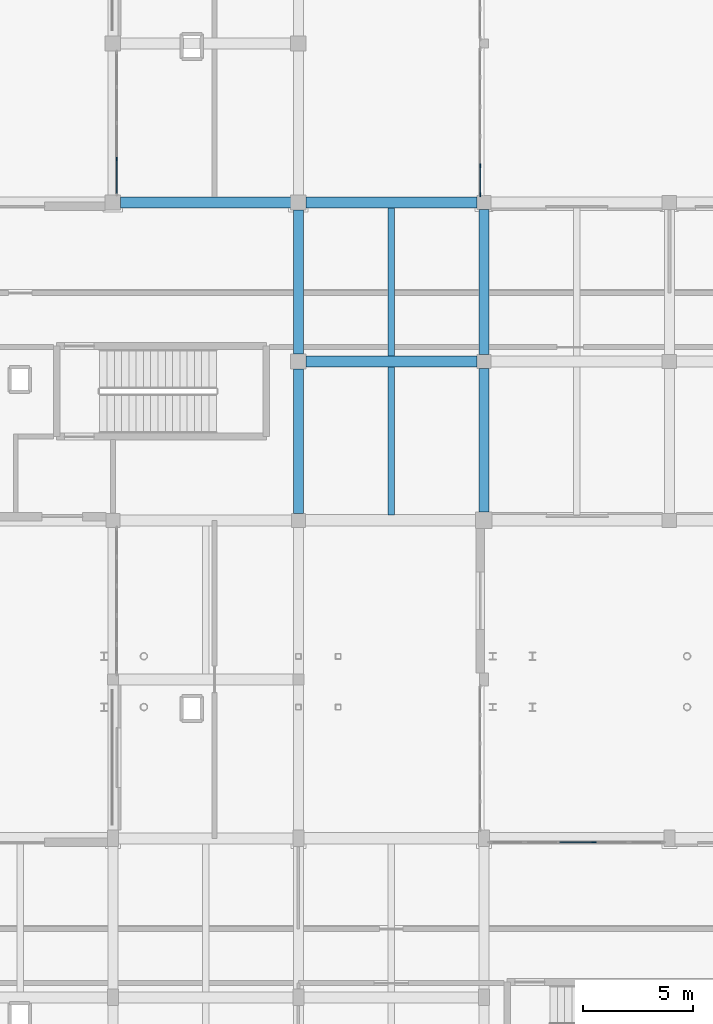
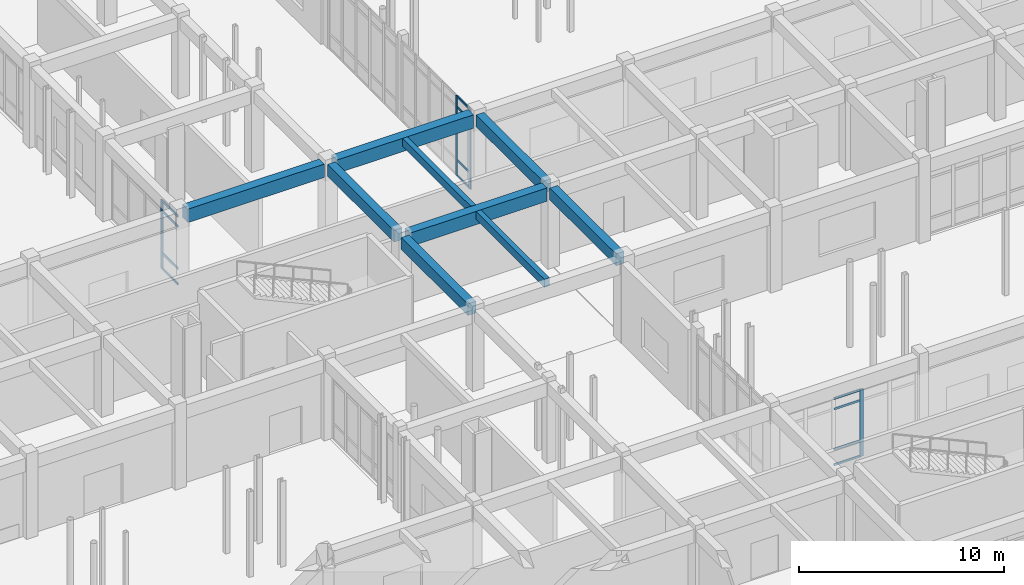
# One storey, part 51 of 121: 16 members, 9 beams, 3 elements without a shape of their own.
"""IFC4 building model written with IfcOpenShell, lengths in metres."""

import ifcopenshell
import ifcopenshell.guid

model = None  # the IFC model being written
_history = None  # IfcOwnerHistory: only IFC2X3 demands one
_inside = {}  # id of a spatial element -> (the spatial element, [elements in it])
_under = {}  # id of a project, library or spatial element -> (it, [spatial elements below it])
_declared = {}  # id of a project -> (the project, [libraries it declares])
_typed = {}  # id of a type object -> (the type object, [elements of that type])
_made_of = {}  # id of a material, layer set ... -> (it, [elements and type objects made of it])


def new_model(schema):
    """Start an empty IFC model of exactly this schema.

    Asked for "IFC4X3", IfcOpenShell would pick the latest addendum, in which some entities
    have other attributes; the version numbers below select the first issue.
    IFC2X3 requires an IfcOwnerHistory on every rooted entity: one is made here for all.
    """
    global model, _history
    if schema == "IFC4X3":
        model = ifcopenshell.file(schema_version=(4, 3, 0, 0))
    else:
        model = ifcopenshell.file(schema=schema)
    _inside.clear()
    _under.clear()
    _declared.clear()
    _typed.clear()
    _made_of.clear()
    _history = None
    if model.schema == "IFC2X3":
        org = make("IfcOrganization", Name="unknown")
        user = make(
            "IfcPersonAndOrganization",
            ThePerson=make("IfcPerson", FamilyName="unknown"),
            TheOrganization=org,
        )
        app = make(
            "IfcApplication",
            ApplicationDeveloper=org,
            Version="unknown",
            ApplicationFullName="unknown",
            ApplicationIdentifier="unknown",
        )
        _history = make(
            "IfcOwnerHistory",
            OwningUser=user,
            OwningApplication=app,
            ChangeAction="ADDED",
            CreationDate=0,
        )
    return model


def make(cls, **values):
    """One entity of the class cls with the attributes given. An attribute that is None is left unset."""
    return model.create_entity(
        cls, **{name: value for name, value in values.items() if value is not None}
    )


def rooted(cls, **values):
    """An entity with a GlobalId (a new one), such as an element, a storey or a relation."""
    return make(cls, GlobalId=ifcopenshell.guid.new(), OwnerHistory=_history, **values)


def si_unit(unit_type, name, prefix=None):
    """IfcSIUnit, for example si_unit("LENGTHUNIT", "METRE", prefix="MILLI")."""
    return make("IfcSIUnit", UnitType=unit_type, Prefix=prefix, Name=name)


def assignment(units):
    """IfcUnitAssignment: the units of a project."""
    return None if units is None else make("IfcUnitAssignment", Units=units)


def point(xyz):
    """IfcCartesianPoint."""
    return None if xyz is None else make("IfcCartesianPoint", Coordinates=xyz)


def direction(xyz):
    """IfcDirection."""
    return None if xyz is None else make("IfcDirection", DirectionRatios=xyz)


def frame(location, z_axis=None, x_axis=None):
    """IfcAxis2Placement3D, a coordinate frame: its origin and axes. An axis left out is left unset."""
    return make(
        "IfcAxis2Placement3D",
        Location=point(location),
        Axis=direction(z_axis),
        RefDirection=direction(x_axis),
    )


def frame_2d(location, x_axis=None):
    """IfcAxis2Placement2D, a coordinate frame in the plane: its origin and x axis."""
    return make(
        "IfcAxis2Placement2D", Location=point(location), RefDirection=direction(x_axis)
    )


def origin():
    """The frame at (0, 0, 0) with its axes left unset."""
    return frame((0.0, 0.0, 0.0))


def origin_2d():
    """The frame at (0, 0) in the plane with its x axis left unset."""
    return frame_2d((0.0, 0.0))


def place(relative_to, where):
    """IfcLocalPlacement: puts the frame where relative to a parent placement (None: the world)."""
    return make(
        "IfcLocalPlacement", PlacementRelTo=relative_to, RelativePlacement=where
    )


def context(
    kind, dimensions, precision=None, world=None, true_north=None, identifier=None
):
    """IfcGeometricRepresentationContext, for example the 3D "Model" context."""
    return make(
        "IfcGeometricRepresentationContext",
        ContextIdentifier=identifier,
        ContextType=kind,
        CoordinateSpaceDimension=dimensions,
        Precision=precision,
        WorldCoordinateSystem=world,
        TrueNorth=true_north,
    )


def subcontext(parent, identifier, kind, view, scale=None):
    """IfcGeometricRepresentationSubContext, for example "Body" below "Model"."""
    return make(
        "IfcGeometricRepresentationSubContext",
        ContextIdentifier=identifier,
        ContextType=kind,
        ParentContext=parent,
        TargetScale=scale,
        TargetView=view,
    )


def project(units=None, contexts=None):
    """IfcProject with its units and contexts."""
    return rooted(
        "IfcProject",
        Name="project",
        RepresentationContexts=contexts,
        UnitsInContext=assignment(units),
    )


def spatial(cls, under=None, at=None, **own):
    """A site, building, storey or space (cls), placed at a placement, below another one or the project."""
    s = rooted(cls, ObjectPlacement=at, **own)
    if under is not None:
        _under.setdefault(under.id(), (under, []))[1].append(s)
    return s


def profile(cls, at=None, kind="AREA", **sizes):
    """A parametric profile (cls). Its sizes go by their IFC names, for example OverallWidth=200.0."""
    return make(cls, ProfileType=kind, Position=at, **sizes)


def rectangle(**sizes):
    """IfcRectangleProfileDef."""
    return profile("IfcRectangleProfileDef", **sizes)


def extrude(swept, where, along, depth):
    """IfcExtrudedAreaSolid: the profile swept, set in the frame where, extruded along a direction by depth."""
    return make(
        "IfcExtrudedAreaSolid",
        SweptArea=swept,
        Position=where,
        ExtrudedDirection=direction(along),
        Depth=depth,
    )


def shape(context_of_items, identifier, shape_type, items):
    """IfcShapeRepresentation: the items that make up one representation, for example the "Body"."""
    return make(
        "IfcShapeRepresentation",
        ContextOfItems=context_of_items,
        RepresentationIdentifier=identifier,
        RepresentationType=shape_type,
        Items=items,
    )


def material(Name=None, Category=None):
    """IfcMaterial."""
    return make("IfcMaterial", Name=Name, Category=Category)


def material_profile(
    of_material, cross_section, Name=None, Category=None, Priority=None
):
    """IfcMaterialProfile: a cross section and its material."""
    return make(
        "IfcMaterialProfile",
        Name=Name,
        Material=of_material,
        Profile=cross_section,
        Priority=Priority,
        Category=Category,
    )


def profile_set(profiles, Name=None, composite=None):
    """IfcMaterialProfileSet."""
    return make(
        "IfcMaterialProfileSet",
        Name=Name,
        MaterialProfiles=profiles,
        CompositeProfile=composite,
    )


def made_of(thing, what):
    """Note that an element or type object is made of a material, layer set ...; save() writes the relation."""
    if what is not None:
        _made_of.setdefault(what.id(), (what, []))[1].append(thing)
    return thing


def type_object(cls, material=None, **own):
    """A type object (cls), such as IfcWallType, which elements share."""
    return made_of(rooted(cls, **own), material)


def element(
    cls,
    number,
    at=None,
    inside=None,
    cuts=None,
    type_object=None,
    material=None,
    context=None,
    identifier="Body",
    shape_type=None,
    held_by="IfcProductDefinitionShape",
    body=None,
    shapes=None,
    **own,
):
    """One element of the class cls, such as IfcWall. Its Tag is "e" and its number.

    at: its placement. inside: the storey or other place that contains it. cuts: it is an
    opening in that element (IfcRelVoidsElement). A single representation is given by context,
    identifier, shape_type and body (its items); several are given by shapes. held_by: the class
    of the entity that holds the representations. save() writes the other relations.
    """
    e = rooted(cls, Tag="e%d" % number, ObjectPlacement=at, **own)
    if body is not None:
        shapes = [shape(context, identifier, shape_type, body)]
    if shapes is not None:
        e.Representation = make(held_by, Representations=shapes)
    if inside is not None:
        _inside.setdefault(inside.id(), (inside, []))[1].append(e)
    if cuts is not None:
        rooted(
            "IfcRelVoidsElement", RelatingBuildingElement=cuts, RelatedOpeningElement=e
        )
    if type_object is not None:
        _typed.setdefault(type_object.id(), (type_object, []))[1].append(e)
    return made_of(e, material)


def aggregate(whole, parts):
    """IfcRelAggregates: a whole, such as a stair, and the parts it consists of."""
    return rooted("IfcRelAggregates", RelatingObject=whole, RelatedObjects=parts)


def save(model, path):
    """Write the relations noted so far, then the file.

    IfcRelAggregates (storeys below a building ...), IfcRelContainedInSpatialStructure (elements
    in a storey), IfcRelDefinesByType, IfcRelAssociatesMaterial and IfcRelDeclares: one each for
    every whole, place, type object, material and project.
    """
    for whole, parts in _under.values():
        aggregate(whole, parts)
    for where, things in _inside.values():
        rooted(
            "IfcRelContainedInSpatialStructure",
            RelatedElements=things,
            RelatingStructure=where,
        )
    for kind, things in _typed.values():
        rooted("IfcRelDefinesByType", RelatedObjects=things, RelatingType=kind)
    for what, things in _made_of.values():
        rooted("IfcRelAssociatesMaterial", RelatedObjects=things, RelatingMaterial=what)
    for by, libraries in _declared.values():
        rooted("IfcRelDeclares", RelatingContext=by, RelatedDefinitions=libraries)
    model.write(path)


model = new_model("IFC4")

# Units and contexts
model_context = context("Model", 3, precision=1e-05, world=origin(), true_north=direction((0.0, 1.0)))
body_context = subcontext(model_context, "Body", "Model", "MODEL_VIEW")
ifc_project = project(units=[si_unit("LENGTHUNIT", "METRE"), si_unit("AREAUNIT", "SQUARE_METRE"), si_unit("VOLUMEUNIT", "CUBIC_METRE"), si_unit("PLANEANGLEUNIT", "RADIAN"), si_unit("MASSUNIT", "GRAM", prefix="KILO")], contexts=[model_context])

# Site, building, storey
site_placement = place(None, origin())
site = spatial("IfcSite", under=ifc_project, at=site_placement, CompositionType="ELEMENT")
building_placement = place(site_placement, origin())
building = spatial("IfcBuilding", under=site, at=building_placement, Name="Malvenik Polytechnic", CompositionType="ELEMENT")
storey_placement = place(building_placement, origin())
storey = spatial("IfcBuildingStorey", under=building, at=storey_placement, Name="L00", CompositionType="ELEMENT", Elevation=0.0)

# Curtain wall, member
ifc_material_1 = material(Name="Anodised aluminium 6060-T6", Category="aluminium")
curtain_wall_type_1 = type_object("IfcCurtainWallType", Name="ARC-CW-CW-04", PredefinedType="NOTDEFINED", material=ifc_material_1)
curtain_wall_1_placement = place(storey_placement, origin())
curtain_wall_1 = element("IfcCurtainWall", 1, at=curtain_wall_1_placement, inside=storey, type_object=curtain_wall_type_1, Name="Unitised Curtain Wall CW-04 L00 #8", PredefinedType="NOTDEFINED")
ifc_material_2 = material(Name="Anodised aluminium", Category="aluminium")
ifc_material_profile_1 = material_profile(ifc_material_2, rectangle(XDim=0.06005859375, YDim=0.159912109375, at=origin_2d()), Name="ALU MULLION 60x160")
ifc_profile_set_1 = profile_set([ifc_material_profile_1], Name="Anodised aluminium")
member_type_1 = type_object("IfcMemberType", Name="ARC-CWM-160", PredefinedType="MULLION", material=ifc_profile_set_1)
member_1_placement = place(storey_placement, frame((75.77001953125, 95.573974609375, 0.0), z_axis=(0.0, 0.0, 1.0), x_axis=(-1.0, 0.0, 0.0)))
member_1 = element("IfcMember", 2, at=member_1_placement, type_object=member_type_1, Name="CW-04 mullion 2", PredefinedType="MULLION", context=body_context, shape_type="SweptSolid", body=[
    extrude(rectangle(XDim=0.06005859375, YDim=0.159912109375, at=origin_2d()), origin(), (0.0, 0.0, 1.0), 4.110107421875),
])

# Curtain wall, members
curtain_wall_type_2 = type_object("IfcCurtainWallType", Name="ARC-CW-CW-13", PredefinedType="NOTDEFINED", material=ifc_material_1)
curtain_wall_2_placement = place(storey_placement, origin())
curtain_wall_2 = element("IfcCurtainWall", 3, at=curtain_wall_2_placement, inside=storey, type_object=curtain_wall_type_2, Name="Unitised Curtain Wall CW-13 L00 #13", PredefinedType="NOTDEFINED")
ifc_material_profile_2 = material_profile(ifc_material_2, rectangle(XDim=0.06005859375, YDim=0.179931640625, at=origin_2d()), Name="ALU MULLION 60x180")
ifc_profile_set_2 = profile_set([ifc_material_profile_2], Name="Anodised aluminium")
member_type_2 = type_object("IfcMemberType", Name="ARC-CWM-180", PredefinedType="MULLION", material=ifc_profile_set_2)
member_2_placement = place(storey_placement, frame((92.22998046875, 95.2587890625, 0.0), z_axis=(0.0, 0.0, 1.0), x_axis=(1.0, 0.0, 0.0)))
member_2 = element("IfcMember", 4, at=member_2_placement, type_object=member_type_2, Name="CW-13 mullion 5", PredefinedType="MULLION", context=body_context, shape_type="SweptSolid", body=[
    extrude(rectangle(XDim=0.06005859375, YDim=0.179931640625, at=origin_2d()), origin(), (0.0, 0.0, 1.0), 4.760009765625),
])
member_3_placement = place(storey_placement, frame((92.22998046875, 93.952880859375, 0.0), z_axis=(0.0, 0.0, 1.0), x_axis=(1.0, 0.0, 0.0)))
member_3 = element("IfcMember", 5, at=member_3_placement, type_object=member_type_2, Name="CW-13 mullion 6", PredefinedType="MULLION", context=body_context, shape_type="SweptSolid", body=[
    extrude(rectangle(XDim=0.06005859375, YDim=0.179931640625, at=origin_2d()), origin(), (0.0, 0.0, 1.0), 4.760009765625),
])

# Curtain wall, member
curtain_wall_type_3 = type_object("IfcCurtainWallType", Name="ARC-CW-CW-01", PredefinedType="NOTDEFINED", material=ifc_material_1)
curtain_wall_3_placement = place(storey_placement, origin())
curtain_wall_3 = element("IfcCurtainWall", 6, at=curtain_wall_3_placement, inside=storey, type_object=curtain_wall_type_3, Name="Unitised Curtain Wall CW-01 L00 #21", PredefinedType="NOTDEFINED")
ifc_material_profile_3 = material_profile(ifc_material_2, rectangle(XDim=0.06005859375, YDim=0.199951171875, at=origin_2d()), Name="ALU MULLION 60x200")
ifc_profile_set_3 = profile_set([ifc_material_profile_3], Name="Anodised aluminium")
member_type_3 = type_object("IfcMemberType", Name="ARC-CWM-200", PredefinedType="MULLION", material=ifc_profile_set_3)
member_4_placement = place(storey_placement, frame((97.390380859375, 64.6298828125, 0.0), z_axis=(0.0, 0.0, 1.0), x_axis=(0.0, 1.0, 0.0)))
member_4 = element("IfcMember", 7, at=member_4_placement, type_object=member_type_3, Name="CW-01 mullion 4", PredefinedType="MULLION", context=body_context, shape_type="SweptSolid", body=[
    extrude(rectangle(XDim=0.06005859375, YDim=0.199951171875, at=origin_2d()), origin(), (0.0, 0.0, 1.0), 4.010009765625),
])

# Member
ifc_material_profile_4 = material_profile(ifc_material_2, rectangle(XDim=0.06005859375, YDim=0.1201171875, at=origin_2d()), Name="ALU TRANSOM 60x120")
ifc_profile_set_4 = profile_set([ifc_material_profile_4], Name="Anodised aluminium")
member_type_4 = type_object("IfcMemberType", Name="ARC-CWT-120", PredefinedType="USERDEFINED", material=ifc_profile_set_4)
member_5_placement = place(storey_placement, frame((92.22998046875, 95.228759765625, 0.030029296875), z_axis=(0.0, -1.0, 0.0), x_axis=(1.0, 0.0, 0.0)))
member_5 = element("IfcMember", 8, at=member_5_placement, type_object=member_type_4, Name="CW-13 transom 5.1", ObjectType="TRANSOM", PredefinedType="USERDEFINED", context=body_context, shape_type="SweptSolid", body=[
    extrude(rectangle(XDim=0.06005859375, YDim=0.1201171875, at=origin_2d()), origin(), (0.0, 0.0, 1.0), 1.245849609375),
])

member_6_placement = place(storey_placement, frame((92.22998046875, 95.228759765625, 0.949951171875), z_axis=(0.0, -1.0, 0.0), x_axis=(1.0, 0.0, 0.0)))
member_6 = element("IfcMember", 9, at=member_6_placement, type_object=member_type_4, Name="CW-13 transom 5.2", ObjectType="TRANSOM", PredefinedType="USERDEFINED", context=body_context, shape_type="SweptSolid", body=[
    extrude(rectangle(XDim=0.06005859375, YDim=0.1201171875, at=origin_2d()), origin(), (0.0, 0.0, 1.0), 1.245849609375),
])

member_7_placement = place(storey_placement, frame((92.22998046875, 95.228759765625, 4.110107421875), z_axis=(0.0, -1.0, 0.0), x_axis=(1.0, 0.0, 0.0)))
member_7 = element("IfcMember", 10, at=member_7_placement, type_object=member_type_4, Name="CW-13 transom 5.3", ObjectType="TRANSOM", PredefinedType="USERDEFINED", context=body_context, shape_type="SweptSolid", body=[
    extrude(rectangle(XDim=0.06005859375, YDim=0.1201171875, at=origin_2d()), origin(), (0.0, 0.0, 1.0), 1.245849609375),
])

member_8_placement = place(storey_placement, frame((92.22998046875, 95.228759765625, 4.72998046875), z_axis=(0.0, -1.0, 0.0), x_axis=(1.0, 0.0, 0.0)))
member_8 = element("IfcMember", 11, at=member_8_placement, type_object=member_type_4, Name="CW-13 transom 5.4", ObjectType="TRANSOM", PredefinedType="USERDEFINED", context=body_context, shape_type="SweptSolid", body=[
    extrude(rectangle(XDim=0.06005859375, YDim=0.1201171875, at=origin_2d()), origin(), (0.0, 0.0, 1.0), 1.245849609375),
])

aggregate(curtain_wall_2, [member_2, member_3, member_5, member_6, member_7, member_8])

member_9_placement = place(storey_placement, frame((95.839599609375, 64.6298828125, 0.030029296875), z_axis=(1.0, 0.0, 0.0), x_axis=(0.0, 1.0, 0.0)))
member_9 = element("IfcMember", 12, at=member_9_placement, type_object=member_type_4, Name="CW-01 transom 3.1", ObjectType="TRANSOM", PredefinedType="USERDEFINED", context=body_context, shape_type="SweptSolid", body=[
    extrude(rectangle(XDim=0.06005859375, YDim=0.1201171875, at=origin_2d()), origin(), (0.0, 0.0, 1.0), 1.520751953125),
])

member_10_placement = place(storey_placement, frame((95.839599609375, 64.6298828125, 0.949951171875), z_axis=(1.0, 0.0, 0.0), x_axis=(0.0, 1.0, 0.0)))
member_10 = element("IfcMember", 13, at=member_10_placement, type_object=member_type_4, Name="CW-01 transom 3.2", ObjectType="TRANSOM", PredefinedType="USERDEFINED", context=body_context, shape_type="SweptSolid", body=[
    extrude(rectangle(XDim=0.06005859375, YDim=0.1201171875, at=origin_2d()), origin(), (0.0, 0.0, 1.0), 1.520751953125),
])

member_11_placement = place(storey_placement, frame((95.839599609375, 64.6298828125, 3.360107421875), z_axis=(1.0, 0.0, 0.0), x_axis=(0.0, 1.0, 0.0)))
member_11 = element("IfcMember", 14, at=member_11_placement, type_object=member_type_4, Name="CW-01 transom 3.3", ObjectType="TRANSOM", PredefinedType="USERDEFINED", context=body_context, shape_type="SweptSolid", body=[
    extrude(rectangle(XDim=0.06005859375, YDim=0.1201171875, at=origin_2d()), origin(), (0.0, 0.0, 1.0), 1.520751953125),
])

member_12_placement = place(storey_placement, frame((95.839599609375, 64.6298828125, 3.97998046875), z_axis=(1.0, 0.0, 0.0), x_axis=(0.0, 1.0, 0.0)))
member_12 = element("IfcMember", 15, at=member_12_placement, type_object=member_type_4, Name="CW-01 transom 3.4", ObjectType="TRANSOM", PredefinedType="USERDEFINED", context=body_context, shape_type="SweptSolid", body=[
    extrude(rectangle(XDim=0.06005859375, YDim=0.1201171875, at=origin_2d()), origin(), (0.0, 0.0, 1.0), 1.520751953125),
])

aggregate(curtain_wall_3, [member_4, member_9, member_10, member_11, member_12])

ifc_material_profile_5 = material_profile(ifc_material_2, rectangle(XDim=0.06005859375, YDim=0.139892578125, at=origin_2d()), Name="ALU TRANSOM 60x140")
ifc_profile_set_5 = profile_set([ifc_material_profile_5], Name="Anodised aluminium")
member_type_5 = type_object("IfcMemberType", Name="ARC-CWT-140", PredefinedType="USERDEFINED", material=ifc_profile_set_5)
member_13_placement = place(storey_placement, frame((75.77001953125, 94.008056640625, 0.030029296875), z_axis=(0.0, 1.0, 0.0), x_axis=(-1.0, 0.0, 0.0)))
member_13 = element("IfcMember", 16, at=member_13_placement, type_object=member_type_5, Name="CW-04 transom 1.1", ObjectType="TRANSOM", PredefinedType="USERDEFINED", context=body_context, shape_type="SweptSolid", body=[
    extrude(rectangle(XDim=0.06005859375, YDim=0.139892578125, at=origin_2d()), origin(), (0.0, 0.0, 1.0), 1.535888671875),
])

member_14_placement = place(storey_placement, frame((75.77001953125, 94.008056640625, 0.949951171875), z_axis=(0.0, 1.0, 0.0), x_axis=(-1.0, 0.0, 0.0)))
member_14 = element("IfcMember", 17, at=member_14_placement, type_object=member_type_5, Name="CW-04 transom 1.2", ObjectType="TRANSOM", PredefinedType="USERDEFINED", context=body_context, shape_type="SweptSolid", body=[
    extrude(rectangle(XDim=0.06005859375, YDim=0.139892578125, at=origin_2d()), origin(), (0.0, 0.0, 1.0), 1.535888671875),
])

member_15_placement = place(storey_placement, frame((75.77001953125, 94.008056640625, 3.4599609375), z_axis=(0.0, 1.0, 0.0), x_axis=(-1.0, 0.0, 0.0)))
member_15 = element("IfcMember", 18, at=member_15_placement, type_object=member_type_5, Name="CW-04 transom 1.3", ObjectType="TRANSOM", PredefinedType="USERDEFINED", context=body_context, shape_type="SweptSolid", body=[
    extrude(rectangle(XDim=0.06005859375, YDim=0.139892578125, at=origin_2d()), origin(), (0.0, 0.0, 1.0), 1.535888671875),
])

member_16_placement = place(storey_placement, frame((75.77001953125, 94.008056640625, 4.080078125), z_axis=(0.0, 1.0, 0.0), x_axis=(-1.0, 0.0, 0.0)))
member_16 = element("IfcMember", 19, at=member_16_placement, type_object=member_type_5, Name="CW-04 transom 1.4", ObjectType="TRANSOM", PredefinedType="USERDEFINED", context=body_context, shape_type="SweptSolid", body=[
    extrude(rectangle(XDim=0.06005859375, YDim=0.139892578125, at=origin_2d()), origin(), (0.0, 0.0, 1.0), 1.535888671875),
])

aggregate(curtain_wall_1, [member_1, member_13, member_14, member_15, member_16])

# Beams
ifc_material_3 = material(Name="Concrete C35/45", Category="concrete")
ifc_material_profile_6 = material_profile(ifc_material_3, rectangle(XDim=0.5, YDim=0.800048828125, at=origin_2d()), Name="RC BM 500x800")
ifc_profile_set_6 = profile_set([ifc_material_profile_6], Name="Concrete C35/45")
beam_type_1 = type_object("IfcBeamType", Name="STR-BM-B-02", PredefinedType="BEAM", material=ifc_profile_set_6)
beam_1_placement = place(storey_placement, frame((84.347900390625, 86.39990234375, 4.419921875), z_axis=(1.0, 0.0, 0.0), x_axis=(0.0, 1.0, 0.0)))
element("IfcBeam", 20, at=beam_1_placement, inside=storey, type_object=beam_type_1, Name="Primary Beam B-02 L00 #634", PredefinedType="BEAM", context=body_context, shape_type="SweptSolid", body=[
    extrude(rectangle(XDim=0.5, YDim=0.800048828125, at=origin_2d()), origin(), (0.0, 0.0, 1.0), 7.72900390625),
])
beam_2_placement = place(storey_placement, frame((75.947998046875, 93.60009765625, 4.419921875), z_axis=(1.0, 0.0, 0.0), x_axis=(0.0, 1.0, 0.0)))
element("IfcBeam", 21, at=beam_2_placement, inside=storey, type_object=beam_type_1, Name="Primary Beam B-02 L00 #649", PredefinedType="BEAM", context=body_context, shape_type="SweptSolid", body=[
    extrude(rectangle(XDim=0.5, YDim=0.800048828125, at=origin_2d()), origin(), (0.0, 0.0, 1.0), 7.7041015625),
])
ifc_material_profile_7 = material_profile(ifc_material_3, rectangle(XDim=0.449951171875, YDim=0.699951171875, at=origin_2d()), Name="RC BM 450x700")
ifc_profile_set_7 = profile_set([ifc_material_profile_7], Name="Concrete C35/45")
beam_type_2 = type_object("IfcBeamType", Name="STR-BM-B-04", PredefinedType="BEAM", material=ifc_profile_set_7)
beam_3_placement = place(storey_placement, frame((84.0, 79.52294921875, 4.469970703125), z_axis=(0.0, 1.0, 0.0), x_axis=(-1.0, 0.0, 0.0)))
element("IfcBeam", 22, at=beam_3_placement, inside=storey, type_object=beam_type_2, Name="Transverse Beam B-04 L00 #787", PredefinedType="BEAM", context=body_context, shape_type="SweptSolid", body=[
    extrude(rectangle(XDim=0.449951171875, YDim=0.699951171875, at=origin_2d()), origin(), (0.0, 0.0, 1.0), 6.529052734375),
])
for number, where, z_axis, x_axis, name in (
    (23, (84.0, 86.748046875, 4.469970703125), (0.0, 1.0, 0.0), (-1.0, 0.0, 0.0), "Transverse Beam B-04 L00 #788"),
    (24, (92.39990234375, 79.572998046875, 4.469970703125), (0.0, 1.0, 0.0), (-1.0, 0.0, 0.0), "Transverse Beam B-04 L00 #798"),
):
    element("IfcBeam", number, at=place(storey_placement, frame(where, z_axis=z_axis, x_axis=x_axis)), inside=storey, type_object=beam_type_2, Name=name, PredefinedType="BEAM", context=body_context, shape_type="SweptSolid", body=[
        extrude(rectangle(XDim=0.449951171875, YDim=0.699951171875, at=origin_2d()), origin(), (0.0, 0.0, 1.0), 6.50390625),
    ])
beam_4_placement = place(storey_placement, frame((92.39990234375, 86.722900390625, 4.469970703125), z_axis=(0.0, 1.0, 0.0), x_axis=(-1.0, 0.0, 0.0)))
element("IfcBeam", 25, at=beam_4_placement, inside=storey, type_object=beam_type_2, Name="Transverse Beam B-04 L00 #799", PredefinedType="BEAM", context=body_context, shape_type="SweptSolid", body=[
    extrude(rectangle(XDim=0.449951171875, YDim=0.699951171875, at=origin_2d()), origin(), (0.0, 0.0, 1.0), 6.55419921875),
])
ifc_material_4 = material(Name="Concrete C30/37", Category="concrete")
ifc_material_profile_8 = material_profile(ifc_material_4, rectangle(XDim=0.280029296875, YDim=0.47998046875, at=origin_2d()), Name="RC JST 280x480")
ifc_profile_set_8 = profile_set([ifc_material_profile_8], Name="Concrete C30/37")
beam_type_3 = type_object("IfcBeamType", Name="STR-BM-J-01", PredefinedType="JOIST", material=ifc_profile_set_8)
for number, where, z_axis, x_axis, name in (
    (26, (88.199951171875, 79.4580078125, 4.580078125), (0.0, 1.0, 0.0), (-1.0, 0.0, 0.0), "Secondary Rib Joist J-01 L00 #912"),
    (27, (88.199951171875, 86.64794921875, 4.580078125), (0.0, 1.0, 0.0), (-1.0, 0.0, 0.0), "Secondary Rib Joist J-01 L00 #913"),
):
    element("IfcBeam", number, at=place(storey_placement, frame(where, z_axis=z_axis, x_axis=x_axis)), inside=storey, type_object=beam_type_3, Name=name, PredefinedType="JOIST", context=body_context, shape_type="SweptSolid", body=[
        extrude(rectangle(XDim=0.280029296875, YDim=0.47998046875, at=origin_2d()), origin(), (0.0, 0.0, 1.0), 6.694091796875),
    ])
ifc_material_5 = material(Name="Precast concrete C40/50", Category="concrete")
ifc_material_profile_9 = material_profile(ifc_material_5, rectangle(XDim=0.52001953125, YDim=0.800048828125, at=origin_2d()), Name="PC SPN 520x800")
ifc_profile_set_9 = profile_set([ifc_material_profile_9], Name="Precast concrete C40/50")
beam_type_4 = type_object("IfcBeamType", Name="STR-BM-SP-01", PredefinedType="SPANDREL", material=ifc_profile_set_9)
beam_5_placement = place(storey_placement, frame((84.347900390625, 93.60009765625, 4.419921875), z_axis=(1.0, 0.0, 0.0), x_axis=(0.0, 1.0, 0.0)))
element("IfcBeam", 28, at=beam_5_placement, inside=storey, type_object=beam_type_4, Name="Primary Beam SP-01 L00 #650", PredefinedType="SPANDREL", context=body_context, shape_type="SweptSolid", body=[
    extrude(rectangle(XDim=0.52001953125, YDim=0.800048828125, at=origin_2d()), origin(), (0.0, 0.0, 1.0), 7.72900390625),
])

save(model, "model.ifc")
